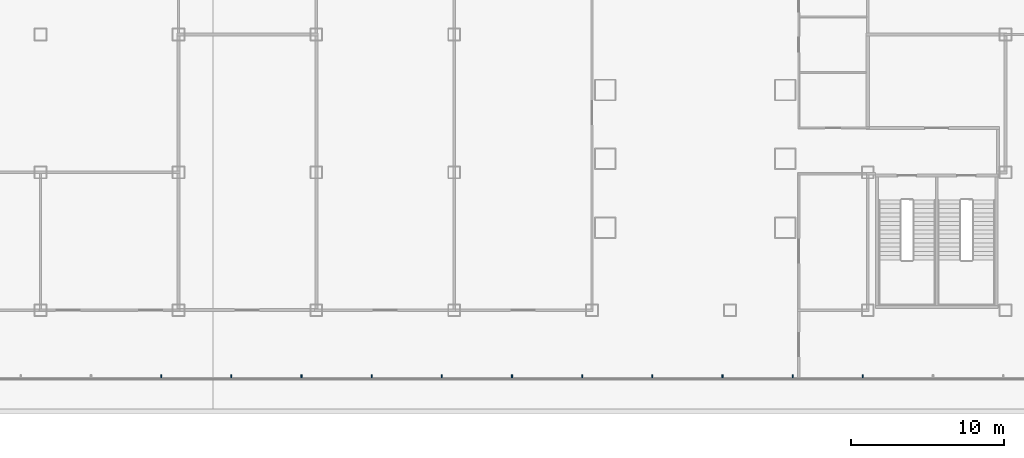
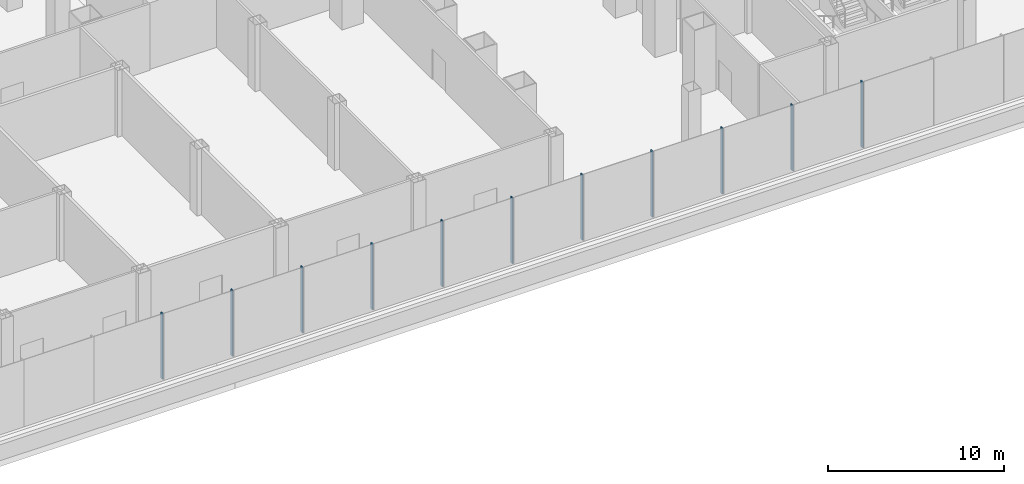
# One storey, part 8 of 33: 11 members, 1 element without a shape of its own.
"""IFC4 building model written with IfcOpenShell, lengths in metres."""

from ifc_helpers import new_model, si_unit, direction, frame, origin, origin_2d, place, context, subcontext, project, spatial, rectangle, extrude, material, layer, layer_set, material_profile, profile_set, type_object, element, aggregate, save


model = new_model("IFC4")

# Units and contexts
model_context = context("Model", 3, precision=1e-05, world=origin(), true_north=direction((0.0, 1.0)))
body_context = subcontext(model_context, "Body", "Model", "MODEL_VIEW")
ifc_project = project(units=[si_unit("LENGTHUNIT", "METRE"), si_unit("AREAUNIT", "SQUARE_METRE"), si_unit("VOLUMEUNIT", "CUBIC_METRE"), si_unit("PLANEANGLEUNIT", "RADIAN"), si_unit("MASSUNIT", "GRAM", prefix="KILO")], contexts=[model_context])

# Site, building, storey
site_placement = place(None, origin())
site = spatial("IfcSite", under=ifc_project, at=site_placement, CompositionType="ELEMENT")
building_placement = place(site_placement, origin())
building = spatial("IfcBuilding", under=site, at=building_placement, Name="Shamsa Quay Exchange Towers", CompositionType="ELEMENT")
storey_placement = place(building_placement, frame((0.0, 0.0, 18.5)))
storey = spatial("IfcBuildingStorey", under=building, at=storey_placement, Name="L03", CompositionType="ELEMENT", Elevation=18.5)

# Curtain wall, members
ifc_material = material(Name="Aluminium EN AW-6063 T6, black anodised", Category="aluminium")
ifc_layer = layer(ifc_material, 0.33203125)
ifc_layer_set = layer_set([ifc_layer], Name="CW-3 PODIUM SHOPFRONT GLAZING")
curtain_wall_type = type_object("IfcCurtainWallType", Name="CW-3 PODIUM SHOPFRONT GLAZING", PredefinedType="NOTDEFINED", material=ifc_layer_set)
curtain_wall_placement = place(storey_placement, origin())
curtain_wall = element("IfcCurtainWall", 1, at=curtain_wall_placement, inside=storey, type_object=curtain_wall_type, Name="CW3 PODIUM-L03-F03", PredefinedType="NOTDEFINED")
ifc_material_profile = material_profile(ifc_material, rectangle(XDim=0.219970703125, YDim=0.080078125, at=origin_2d()), Name="MU80x220")
ifc_profile_set = profile_set([ifc_material_profile], Name="Aluminium EN AW-6063 T6, black anodised")
member_type = type_object("IfcMemberType", Name="CW3 MULLION 80x220", PredefinedType="MULLION", material=ifc_profile_set)
member_1_placement = place(storey_placement, frame((-1.125, -33.56005859375, 0.0), z_axis=(0.0, 0.0, 1.0), x_axis=(0.0, 1.0, 0.0)))
member_1 = element("IfcMember", 2, at=member_1_placement, type_object=member_type, Name="CW3 mullion", PredefinedType="MULLION", context=body_context, shape_type="SweptSolid", body=[
    extrude(rectangle(XDim=0.219970703125, YDim=0.080078125, at=origin_2d()), origin(), (0.0, 0.0, 1.0), 4.550048828125),
])
member_2_placement = place(storey_placement, frame((3.455322265625, -33.56005859375, 0.0), z_axis=(0.0, 0.0, 1.0), x_axis=(0.0, 1.0, 0.0)))
member_2 = element("IfcMember", 3, at=member_2_placement, type_object=member_type, Name="CW3 mullion", PredefinedType="MULLION", context=body_context, shape_type="SweptSolid", body=[
    extrude(rectangle(XDim=0.219970703125, YDim=0.080078125, at=origin_2d()), origin(), (0.0, 0.0, 1.0), 4.550048828125),
])
member_3_placement = place(storey_placement, frame((8.03564453125, -33.56005859375, 0.0), z_axis=(0.0, 0.0, 1.0), x_axis=(0.0, 1.0, 0.0)))
member_3 = element("IfcMember", 4, at=member_3_placement, type_object=member_type, Name="CW3 mullion", PredefinedType="MULLION", context=body_context, shape_type="SweptSolid", body=[
    extrude(rectangle(XDim=0.219970703125, YDim=0.080078125, at=origin_2d()), origin(), (0.0, 0.0, 1.0), 4.550048828125),
])
member_4_placement = place(storey_placement, frame((12.615966796875, -33.56005859375, 0.0), z_axis=(0.0, 0.0, 1.0), x_axis=(0.0, 1.0, 0.0)))
member_4 = element("IfcMember", 5, at=member_4_placement, type_object=member_type, Name="CW3 mullion", PredefinedType="MULLION", context=body_context, shape_type="SweptSolid", body=[
    extrude(rectangle(XDim=0.219970703125, YDim=0.080078125, at=origin_2d()), origin(), (0.0, 0.0, 1.0), 4.550048828125),
])
member_5_placement = place(storey_placement, frame((17.196533203125, -33.56005859375, 0.0), z_axis=(0.0, 0.0, 1.0), x_axis=(0.0, 1.0, 0.0)))
member_5 = element("IfcMember", 6, at=member_5_placement, type_object=member_type, Name="CW3 mullion", PredefinedType="MULLION", context=body_context, shape_type="SweptSolid", body=[
    extrude(rectangle(XDim=0.219970703125, YDim=0.080078125, at=origin_2d()), origin(), (0.0, 0.0, 1.0), 4.550048828125),
])
member_6_placement = place(storey_placement, frame((21.77685546875, -33.56005859375, 0.0), z_axis=(0.0, 0.0, 1.0), x_axis=(0.0, 1.0, 0.0)))
member_6 = element("IfcMember", 7, at=member_6_placement, type_object=member_type, Name="CW3 mullion", PredefinedType="MULLION", context=body_context, shape_type="SweptSolid", body=[
    extrude(rectangle(XDim=0.219970703125, YDim=0.080078125, at=origin_2d()), origin(), (0.0, 0.0, 1.0), 4.550048828125),
])
member_7_placement = place(storey_placement, frame((26.357177734375, -33.56005859375, 0.0), z_axis=(0.0, 0.0, 1.0), x_axis=(0.0, 1.0, 0.0)))
member_7 = element("IfcMember", 8, at=member_7_placement, type_object=member_type, Name="CW3 mullion", PredefinedType="MULLION", context=body_context, shape_type="SweptSolid", body=[
    extrude(rectangle(XDim=0.219970703125, YDim=0.080078125, at=origin_2d()), origin(), (0.0, 0.0, 1.0), 4.550048828125),
])
member_8_placement = place(storey_placement, frame((30.9375, -33.56005859375, 0.0), z_axis=(0.0, 0.0, 1.0), x_axis=(0.0, 1.0, 0.0)))
member_8 = element("IfcMember", 9, at=member_8_placement, type_object=member_type, Name="CW3 mullion", PredefinedType="MULLION", context=body_context, shape_type="SweptSolid", body=[
    extrude(rectangle(XDim=0.219970703125, YDim=0.080078125, at=origin_2d()), origin(), (0.0, 0.0, 1.0), 4.550048828125),
])
member_9_placement = place(storey_placement, frame((35.517822265625, -33.56005859375, 0.0), z_axis=(0.0, 0.0, 1.0), x_axis=(0.0, 1.0, 0.0)))
member_9 = element("IfcMember", 10, at=member_9_placement, type_object=member_type, Name="CW3 mullion", PredefinedType="MULLION", context=body_context, shape_type="SweptSolid", body=[
    extrude(rectangle(XDim=0.219970703125, YDim=0.080078125, at=origin_2d()), origin(), (0.0, 0.0, 1.0), 4.550048828125),
])
member_10_placement = place(storey_placement, frame((40.09814453125, -33.56005859375, 0.0), z_axis=(0.0, 0.0, 1.0), x_axis=(0.0, 1.0, 0.0)))
member_10 = element("IfcMember", 11, at=member_10_placement, type_object=member_type, Name="CW3 mullion", PredefinedType="MULLION", context=body_context, shape_type="SweptSolid", body=[
    extrude(rectangle(XDim=0.219970703125, YDim=0.080078125, at=origin_2d()), origin(), (0.0, 0.0, 1.0), 4.550048828125),
])
member_11_placement = place(storey_placement, frame((44.678466796875, -33.56005859375, 0.0), z_axis=(0.0, 0.0, 1.0), x_axis=(0.0, 1.0, 0.0)))
member_11 = element("IfcMember", 12, at=member_11_placement, type_object=member_type, Name="CW3 mullion", PredefinedType="MULLION", context=body_context, shape_type="SweptSolid", body=[
    extrude(rectangle(XDim=0.219970703125, YDim=0.080078125, at=origin_2d()), origin(), (0.0, 0.0, 1.0), 4.550048828125),
])
aggregate(curtain_wall, [member_1, member_2, member_3, member_4, member_5, member_6, member_7, member_8, member_9, member_10, member_11])

save(model, "model.ifc")
